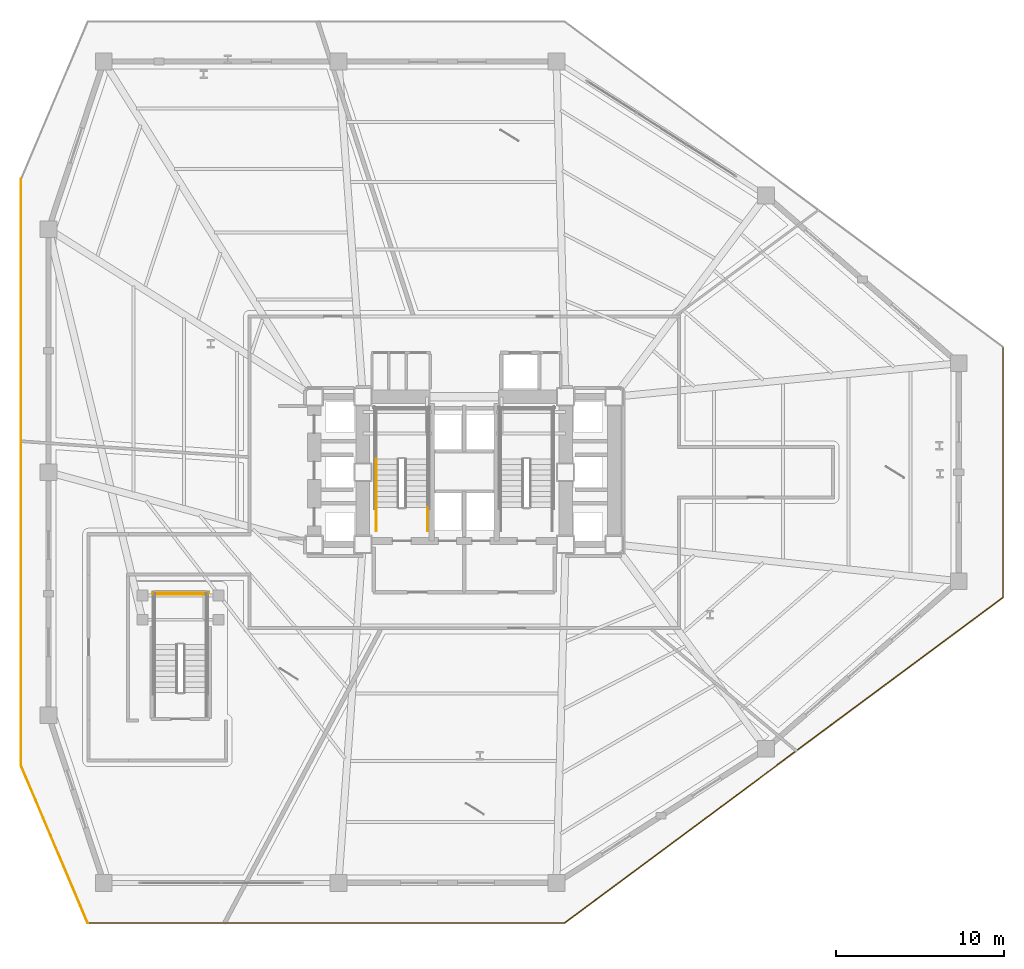
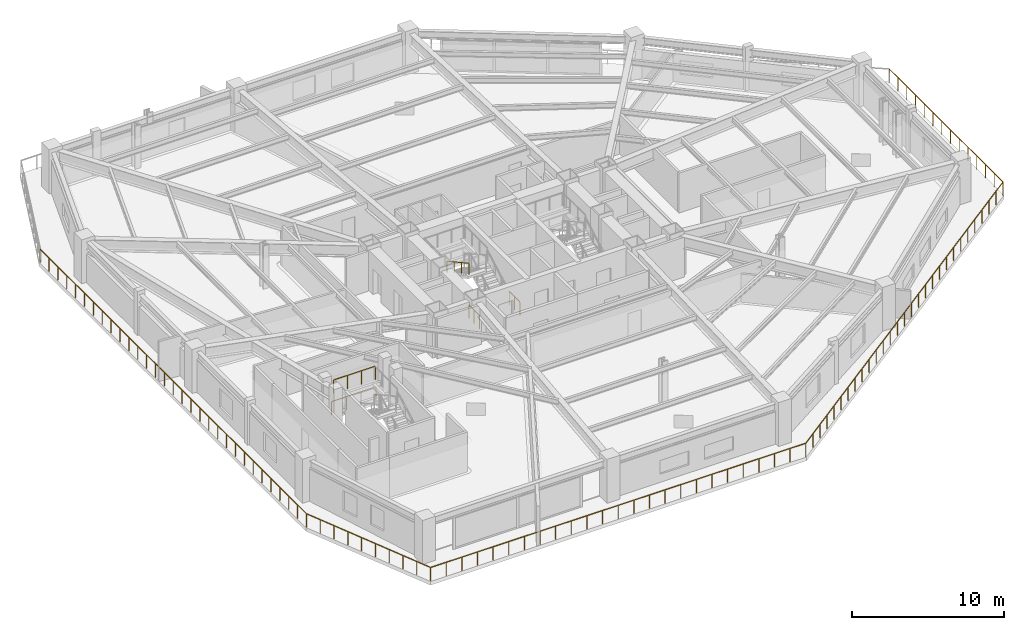
# One storey, part 10 of 12: 7 railings.
"""IFC4 building model written with IfcOpenShell, lengths in metres."""

from ifc_helpers import new_model, si_unit, direction, frame, origin, origin_2d, place, context, subcontext, project, spatial, rectangle, extrude, material, layer, layer_set, type_object, element, save


model = new_model("IFC4")

# Units and contexts
model_context = context("Model", 3, precision=1e-05, world=origin(), true_north=direction((0.0, 1.0)))
body_context = subcontext(model_context, "Body", "Model", "MODEL_VIEW")
ifc_project = project(units=[si_unit("LENGTHUNIT", "METRE"), si_unit("AREAUNIT", "SQUARE_METRE"), si_unit("VOLUMEUNIT", "CUBIC_METRE"), si_unit("PLANEANGLEUNIT", "RADIAN"), si_unit("MASSUNIT", "GRAM", prefix="KILO")], contexts=[model_context])

# Site, building, storey
site_placement = place(None, origin())
site = spatial("IfcSite", under=ifc_project, at=site_placement, CompositionType="ELEMENT")
building_placement = place(site_placement, origin())
building = spatial("IfcBuilding", under=site, at=building_placement, Name="Rocaltana Carrier Exchange", CompositionType="ELEMENT")
storey_placement = place(building_placement, frame((0.0, 0.0, 8.320068359375)))
storey = spatial("IfcBuildingStorey", under=building, at=storey_placement, Name="L03", CompositionType="ELEMENT", Elevation=8.320068359375)

# Railings
ifc_material_1 = material(Name="Brushed Architectural Stainless Tube", Category="steel")
ifc_layer_1 = layer(ifc_material_1, 0.048095703125)
ifc_layer_set_1 = layer_set([ifc_layer_1], Name="Brushed Architectural Stainless Tube")
railing_type_1 = type_object("IfcRailingType", Name="Stair Wall Handrail 920", PredefinedType="HANDRAIL", material=ifc_layer_set_1)
railing_1_placement = place(storey_placement, frame((-5.25, 0.780029296875, 1.93603515625)))
element("IfcRailing", 1, at=railing_1_placement, inside=storey, type_object=railing_type_1, Name="L03 ST-1 stair handrail 2", PredefinedType="HANDRAIL", context=body_context, shape_type="SweptSolid", body=[
    extrude(rectangle(XDim=0.048095703125, YDim=0.048095703125, at=origin_2d()), frame((0.0, 0.0, 0.8759765625), z_axis=(0.0, -0.876226885812, 0.481898790807), x_axis=(1.0, 0.0, 0.0)), (0.0, 0.0, 1.0), 3.286865234375),
    extrude(rectangle(XDim=0.0419921875, YDim=0.0419921875, at=origin_2d()), origin(), (0.0, 0.0, 1.0), 0.851806640625),
    extrude(rectangle(XDim=0.0419921875, YDim=0.0419921875, at=origin_2d()), frame((0.0, -0.9599609375, 0.528076171875)), (0.0, 0.0, 1.0), 0.851806640625),
    extrude(rectangle(XDim=0.0419921875, YDim=0.0419921875, at=origin_2d()), frame((0.0, -1.920166015625, 1.055908203125)), (0.0, 0.0, 1.0), 0.851806640625),
    extrude(rectangle(XDim=0.0419921875, YDim=0.0419921875, at=origin_2d()), frame((0.0, -2.880126953125, 1.583984375)), (0.0, 0.0, 1.0), 0.851806640625),
])
ifc_material_2 = material(Name="Powder-Coated Aluminium 6063-T6", Category="aluminium")
ifc_layer_2 = layer(ifc_material_2, 0.048095703125)
ifc_layer_set_2 = layer_set([ifc_layer_2], Name="Powder-Coated Aluminium 6063-T6")
railing_type_2 = type_object("IfcRailingType", Name="Stair Well Guardrail 1100", PredefinedType="GUARDRAIL", material=ifc_layer_set_2)
for number, where, name in (
    (2, (-2.18994140625, -3.5, 0.0), "L03 ST-1 stair guard 8"),
    (3, (-5.25, -3.5, 0.0), "L03 ST-1 stair guard 9"),
):
    element("IfcRailing", number, at=place(storey_placement, frame(where)), inside=storey, type_object=railing_type_2, Name=name, PredefinedType="GUARDRAIL", context=body_context, shape_type="SweptSolid", body=[
        extrude(rectangle(XDim=0.048095703125, YDim=0.048095703125, at=origin_2d()), frame((0.0, 0.0, 1.076171875), z_axis=(0.0, 1.0, 0.0), x_axis=(-1.0, 0.0, 0.0)), (0.0, 0.0, 1.0), 1.39990234375),
        extrude(rectangle(XDim=0.0419921875, YDim=0.0419921875, at=origin_2d()), origin(), (0.0, 0.0, 1.0), 1.052001953125),
        extrude(rectangle(XDim=0.0419921875, YDim=0.0419921875, at=origin_2d()), frame((0.0, 0.699951171875, 0.0)), (0.0, 0.0, 1.0), 1.052001953125),
        extrude(rectangle(XDim=0.0419921875, YDim=0.0419921875, at=origin_2d()), frame((0.0, 1.39990234375, 0.0)), (0.0, 0.0, 1.0), 1.052001953125),
    ])
railing_2_placement = place(storey_placement, frame((-15.340087890625, -7.300048828125, 1.760009765625)))
element("IfcRailing", 4, at=railing_2_placement, inside=storey, type_object=railing_type_2, Name="L03 ST-3 stair guard 5", PredefinedType="GUARDRAIL", context=body_context, shape_type="SweptSolid", body=[
    extrude(rectangle(XDim=0.048095703125, YDim=0.048095703125, at=origin_2d()), frame((0.0, 0.0, 1.076171875), z_axis=(-1.0, 0.0, 0.0), x_axis=(0.0, -1.0, 0.0)), (0.0, 0.0, 1.0), 3.159912109375),
    extrude(rectangle(XDim=0.0419921875, YDim=0.0419921875, at=origin_2d()), origin(), (0.0, 0.0, 1.0), 1.052001953125),
    extrude(rectangle(XDim=0.0419921875, YDim=0.0419921875, at=origin_2d()), frame((-1.05322265625, 0.0, 0.0)), (0.0, 0.0, 1.0), 1.052001953125),
    extrude(rectangle(XDim=0.0419921875, YDim=0.0419921875, at=origin_2d()), frame((-2.106689453125, 0.0, 0.0)), (0.0, 0.0, 1.0), 1.052001953125),
    extrude(rectangle(XDim=0.0419921875, YDim=0.0419921875, at=origin_2d()), frame((-3.159912109375, 0.0, 0.0)), (0.0, 0.0, 1.0), 1.052001953125),
])
railing_3_placement = place(storey_placement, frame((-15.239990234375, -7.199951171875, 0.0)))
element("IfcRailing", 5, at=railing_3_placement, inside=storey, type_object=railing_type_2, Name="L03 ST-3 stair guard 12", PredefinedType="GUARDRAIL", context=body_context, shape_type="SweptSolid", body=[
    extrude(rectangle(XDim=0.048095703125, YDim=0.048095703125, at=origin_2d()), frame((0.0, 0.0, 1.076171875), z_axis=(-1.0, 0.0, 0.0), x_axis=(0.0, -1.0, 0.0)), (0.0, 0.0, 1.0), 3.360107421875),
    extrude(rectangle(XDim=0.0419921875, YDim=0.0419921875, at=origin_2d()), origin(), (0.0, 0.0, 1.0), 1.052001953125),
    extrude(rectangle(XDim=0.0419921875, YDim=0.0419921875, at=origin_2d()), frame((-1.1201171875, 0.0, 0.0)), (0.0, 0.0, 1.0), 1.052001953125),
    extrude(rectangle(XDim=0.0419921875, YDim=0.0419921875, at=origin_2d()), frame((-2.239990234375, 0.0, 0.0)), (0.0, 0.0, 1.0), 1.052001953125),
    extrude(rectangle(XDim=0.0419921875, YDim=0.0419921875, at=origin_2d()), frame((-3.360107421875, 0.0, 0.0)), (0.0, 0.0, 1.0), 1.052001953125),
])
ifc_material_3 = material(Name="Powder-Coated Aluminium 6063-T6", Category="aluminium")
ifc_layer_3 = layer(ifc_material_3, 0.06005859375)
ifc_layer_set_3 = layer_set([ifc_layer_3], Name="Powder-Coated Aluminium 6063-T6")
railing_type_3 = type_object("IfcRailingType", Name="Wind-Floor & Terrace Perimeter Guardrail 1100", PredefinedType="GUARDRAIL", material=ifc_layer_set_3)
railing_4_placement = place(storey_placement, frame((-22.460205078125, -26.889892578125, 0.0)))
element("IfcRailing", 6, at=railing_4_placement, inside=storey, type_object=railing_type_3, Name="L03 Perimeter Balcony Guardrail 1", PredefinedType="GUARDRAIL", context=body_context, shape_type="SweptSolid", body=[
    extrude(rectangle(XDim=0.048095703125, YDim=0.048095703125, at=origin_2d()), frame((0.0, 0.0, 1.076171875), z_axis=(-0.389799902601, 0.920899579722, 0.0), x_axis=(-0.920899579722, -0.389799902601, 0.0)), (0.0, 0.0, 1.0), 10.209716796875),
    extrude(rectangle(XDim=0.048095703125, YDim=0.048095703125, at=origin_2d()), frame((-3.979736328125, 9.402099609375, 1.076171875), z_axis=(0.0, 1.0, 0.0), x_axis=(-1.0, 0.0, 0.0)), (0.0, 0.0, 1.0), 34.9755859375),
    extrude(rectangle(XDim=0.0419921875, YDim=0.0419921875, at=origin_2d()), origin(), (0.0, 0.0, 1.0), 1.052001953125),
    extrude(rectangle(XDim=0.0419921875, YDim=0.0419921875, at=origin_2d()), frame((-0.442138671875, 1.044677734375, 0.0)), (0.0, 0.0, 1.0), 1.052001953125),
    extrude(rectangle(XDim=0.0419921875, YDim=0.0419921875, at=origin_2d()), frame((-0.88427734375, 2.08935546875, 0.0)), (0.0, 0.0, 1.0), 1.052001953125),
    extrude(rectangle(XDim=0.0419921875, YDim=0.0419921875, at=origin_2d()), frame((-1.32666015625, 3.134033203125, 0.0)), (0.0, 0.0, 1.0), 1.052001953125),
    extrude(rectangle(XDim=0.0419921875, YDim=0.0419921875, at=origin_2d()), frame((-1.768798828125, 4.1787109375, 0.0)), (0.0, 0.0, 1.0), 1.052001953125),
    extrude(rectangle(XDim=0.0419921875, YDim=0.0419921875, at=origin_2d()), frame((-2.2109375, 5.223388671875, 0.0)), (0.0, 0.0, 1.0), 1.052001953125),
    extrude(rectangle(XDim=0.0419921875, YDim=0.0419921875, at=origin_2d()), frame((-2.653076171875, 6.26806640625, 0.0)), (0.0, 0.0, 1.0), 1.052001953125),
    extrude(rectangle(XDim=0.0419921875, YDim=0.0419921875, at=origin_2d()), frame((-3.095458984375, 7.312744140625, 0.0)), (0.0, 0.0, 1.0), 1.052001953125),
    extrude(rectangle(XDim=0.0419921875, YDim=0.0419921875, at=origin_2d()), frame((-3.53759765625, 8.357421875, 0.0)), (0.0, 0.0, 1.0), 1.052001953125),
    extrude(rectangle(XDim=0.0419921875, YDim=0.0419921875, at=origin_2d()), frame((-3.979736328125, 9.402099609375, 0.0)), (0.0, 0.0, 1.0), 1.052001953125),
    extrude(rectangle(XDim=0.0419921875, YDim=0.0419921875, at=origin_2d()), frame((-3.979736328125, 10.56787109375, 0.0)), (0.0, 0.0, 1.0), 1.052001953125),
    extrude(rectangle(XDim=0.0419921875, YDim=0.0419921875, at=origin_2d()), frame((-3.979736328125, 11.73388671875, 0.0)), (0.0, 0.0, 1.0), 1.052001953125),
    extrude(rectangle(XDim=0.0419921875, YDim=0.0419921875, at=origin_2d()), frame((-3.979736328125, 12.899658203125, 0.0)), (0.0, 0.0, 1.0), 1.052001953125),
    extrude(rectangle(XDim=0.0419921875, YDim=0.0419921875, at=origin_2d()), frame((-3.979736328125, 14.0654296875, 0.0)), (0.0, 0.0, 1.0), 1.052001953125),
    extrude(rectangle(XDim=0.0419921875, YDim=0.0419921875, at=origin_2d()), frame((-3.979736328125, 15.2314453125, 0.0)), (0.0, 0.0, 1.0), 1.052001953125),
    extrude(rectangle(XDim=0.0419921875, YDim=0.0419921875, at=origin_2d()), frame((-3.979736328125, 16.397216796875, 0.0)), (0.0, 0.0, 1.0), 1.052001953125),
    extrude(rectangle(XDim=0.0419921875, YDim=0.0419921875, at=origin_2d()), frame((-3.979736328125, 17.56298828125, 0.0)), (0.0, 0.0, 1.0), 1.052001953125),
    extrude(rectangle(XDim=0.0419921875, YDim=0.0419921875, at=origin_2d()), frame((-3.979736328125, 18.72900390625, 0.0)), (0.0, 0.0, 1.0), 1.052001953125),
    extrude(rectangle(XDim=0.0419921875, YDim=0.0419921875, at=origin_2d()), frame((-3.979736328125, 19.894775390625, 0.0)), (0.0, 0.0, 1.0), 1.052001953125),
    extrude(rectangle(XDim=0.0419921875, YDim=0.0419921875, at=origin_2d()), frame((-3.979736328125, 21.060546875, 0.0)), (0.0, 0.0, 1.0), 1.052001953125),
    extrude(rectangle(XDim=0.0419921875, YDim=0.0419921875, at=origin_2d()), frame((-3.979736328125, 22.2265625, 0.0)), (0.0, 0.0, 1.0), 1.052001953125),
    extrude(rectangle(XDim=0.0419921875, YDim=0.0419921875, at=origin_2d()), frame((-3.979736328125, 23.392333984375, 0.0)), (0.0, 0.0, 1.0), 1.052001953125),
    extrude(rectangle(XDim=0.0419921875, YDim=0.0419921875, at=origin_2d()), frame((-3.979736328125, 24.55810546875, 0.0)), (0.0, 0.0, 1.0), 1.052001953125),
    extrude(rectangle(XDim=0.0419921875, YDim=0.0419921875, at=origin_2d()), frame((-3.979736328125, 25.72412109375, 0.0)), (0.0, 0.0, 1.0), 1.052001953125),
    extrude(rectangle(XDim=0.0419921875, YDim=0.0419921875, at=origin_2d()), frame((-3.979736328125, 26.889892578125, 0.0)), (0.0, 0.0, 1.0), 1.052001953125),
    extrude(rectangle(XDim=0.0419921875, YDim=0.0419921875, at=origin_2d()), frame((-3.979736328125, 28.0556640625, 0.0)), (0.0, 0.0, 1.0), 1.052001953125),
    extrude(rectangle(XDim=0.0419921875, YDim=0.0419921875, at=origin_2d()), frame((-3.979736328125, 29.2216796875, 0.0)), (0.0, 0.0, 1.0), 1.052001953125),
    extrude(rectangle(XDim=0.0419921875, YDim=0.0419921875, at=origin_2d()), frame((-3.979736328125, 30.387451171875, 0.0)), (0.0, 0.0, 1.0), 1.052001953125),
    extrude(rectangle(XDim=0.0419921875, YDim=0.0419921875, at=origin_2d()), frame((-3.979736328125, 31.55322265625, 0.0)), (0.0, 0.0, 1.0), 1.052001953125),
    extrude(rectangle(XDim=0.0419921875, YDim=0.0419921875, at=origin_2d()), frame((-3.979736328125, 32.71923828125, 0.0)), (0.0, 0.0, 1.0), 1.052001953125),
    extrude(rectangle(XDim=0.0419921875, YDim=0.0419921875, at=origin_2d()), frame((-3.979736328125, 33.885009765625, 0.0)), (0.0, 0.0, 1.0), 1.052001953125),
    extrude(rectangle(XDim=0.0419921875, YDim=0.0419921875, at=origin_2d()), frame((-3.979736328125, 35.05078125, 0.0)), (0.0, 0.0, 1.0), 1.052001953125),
    extrude(rectangle(XDim=0.0419921875, YDim=0.0419921875, at=origin_2d()), frame((-3.979736328125, 36.216796875, 0.0)), (0.0, 0.0, 1.0), 1.052001953125),
    extrude(rectangle(XDim=0.0419921875, YDim=0.0419921875, at=origin_2d()), frame((-3.979736328125, 37.382568359375, 0.0)), (0.0, 0.0, 1.0), 1.052001953125),
    extrude(rectangle(XDim=0.0419921875, YDim=0.0419921875, at=origin_2d()), frame((-3.979736328125, 38.54833984375, 0.0)), (0.0, 0.0, 1.0), 1.052001953125),
    extrude(rectangle(XDim=0.0419921875, YDim=0.0419921875, at=origin_2d()), frame((-3.979736328125, 39.71435546875, 0.0)), (0.0, 0.0, 1.0), 1.052001953125),
    extrude(rectangle(XDim=0.0419921875, YDim=0.0419921875, at=origin_2d()), frame((-3.979736328125, 40.880126953125, 0.0)), (0.0, 0.0, 1.0), 1.052001953125),
    extrude(rectangle(XDim=0.0419921875, YDim=0.0419921875, at=origin_2d()), frame((-3.979736328125, 42.0458984375, 0.0)), (0.0, 0.0, 1.0), 1.052001953125),
    extrude(rectangle(XDim=0.0419921875, YDim=0.0419921875, at=origin_2d()), frame((-3.979736328125, 43.2119140625, 0.0)), (0.0, 0.0, 1.0), 1.052001953125),
    extrude(rectangle(XDim=0.0419921875, YDim=0.0419921875, at=origin_2d()), frame((-3.979736328125, 44.377685546875, 0.0)), (0.0, 0.0, 1.0), 1.052001953125),
])
railing_5_placement = place(storey_placement, frame((32.139892578125, 7.4697265625, 0.0)))
element("IfcRailing", 7, at=railing_5_placement, inside=storey, type_object=railing_type_3, Name="L03 Perimeter Balcony Guardrail 3", PredefinedType="GUARDRAIL", context=body_context, shape_type="SweptSolid", body=[
    extrude(rectangle(XDim=0.048095703125, YDim=0.048095703125, at=origin_2d()), frame((0.0, 0.0, 1.076171875), z_axis=(0.0, -1.0, 0.0), x_axis=(1.0, 0.0, 0.0)), (0.0, 0.0, 1.0), 14.939453125),
    extrude(rectangle(XDim=0.048095703125, YDim=0.048095703125, at=origin_2d()), frame((0.0, -14.939453125, 1.076171875), z_axis=(-0.802930850868, -0.596072184156, 0.0), x_axis=(0.596072184156, -0.802930850868, 0.0)), (0.0, 0.0, 1.0), 32.580322265625),
    extrude(rectangle(XDim=0.048095703125, YDim=0.048095703125, at=origin_2d()), frame((-26.15966796875, -34.359619140625, 1.076171875), z_axis=(-1.0, 0.0, 0.0), x_axis=(0.0, -1.0, 0.0)), (0.0, 0.0, 1.0), 28.4404296875),
    extrude(rectangle(XDim=0.0419921875, YDim=0.0419921875, at=origin_2d()), origin(), (0.0, 0.0, 1.0), 1.052001953125),
    extrude(rectangle(XDim=0.0419921875, YDim=0.0419921875, at=origin_2d()), frame((0.0, -1.149169921875, 0.0)), (0.0, 0.0, 1.0), 1.052001953125),
    extrude(rectangle(XDim=0.0419921875, YDim=0.0419921875, at=origin_2d()), frame((0.0, -2.29833984375, 0.0)), (0.0, 0.0, 1.0), 1.052001953125),
    extrude(rectangle(XDim=0.0419921875, YDim=0.0419921875, at=origin_2d()), frame((0.0, -3.447509765625, 0.0)), (0.0, 0.0, 1.0), 1.052001953125),
    extrude(rectangle(XDim=0.0419921875, YDim=0.0419921875, at=origin_2d()), frame((0.0, -4.5966796875, 0.0)), (0.0, 0.0, 1.0), 1.052001953125),
    extrude(rectangle(XDim=0.0419921875, YDim=0.0419921875, at=origin_2d()), frame((0.0, -5.745849609375, 0.0)), (0.0, 0.0, 1.0), 1.052001953125),
    extrude(rectangle(XDim=0.0419921875, YDim=0.0419921875, at=origin_2d()), frame((0.0, -6.89501953125, 0.0)), (0.0, 0.0, 1.0), 1.052001953125),
    extrude(rectangle(XDim=0.0419921875, YDim=0.0419921875, at=origin_2d()), frame((0.0, -8.04443359375, 0.0)), (0.0, 0.0, 1.0), 1.052001953125),
    extrude(rectangle(XDim=0.0419921875, YDim=0.0419921875, at=origin_2d()), frame((0.0, -9.193603515625, 0.0)), (0.0, 0.0, 1.0), 1.052001953125),
    extrude(rectangle(XDim=0.0419921875, YDim=0.0419921875, at=origin_2d()), frame((0.0, -10.3427734375, 0.0)), (0.0, 0.0, 1.0), 1.052001953125),
    extrude(rectangle(XDim=0.0419921875, YDim=0.0419921875, at=origin_2d()), frame((0.0, -11.491943359375, 0.0)), (0.0, 0.0, 1.0), 1.052001953125),
    extrude(rectangle(XDim=0.0419921875, YDim=0.0419921875, at=origin_2d()), frame((0.0, -12.64111328125, 0.0)), (0.0, 0.0, 1.0), 1.052001953125),
    extrude(rectangle(XDim=0.0419921875, YDim=0.0419921875, at=origin_2d()), frame((0.0, -13.790283203125, 0.0)), (0.0, 0.0, 1.0), 1.052001953125),
    extrude(rectangle(XDim=0.0419921875, YDim=0.0419921875, at=origin_2d()), frame((0.0, -14.939453125, 0.0)), (0.0, 0.0, 1.0), 1.052001953125),
    extrude(rectangle(XDim=0.0419921875, YDim=0.0419921875, at=origin_2d()), frame((-0.934326171875, -15.633056640625, 0.0)), (0.0, 0.0, 1.0), 1.052001953125),
    extrude(rectangle(XDim=0.0419921875, YDim=0.0419921875, at=origin_2d()), frame((-1.86865234375, -16.32666015625, 0.0)), (0.0, 0.0, 1.0), 1.052001953125),
    extrude(rectangle(XDim=0.0419921875, YDim=0.0419921875, at=origin_2d()), frame((-2.802734375, -17.020263671875, 0.0)), (0.0, 0.0, 1.0), 1.052001953125),
    extrude(rectangle(XDim=0.0419921875, YDim=0.0419921875, at=origin_2d()), frame((-3.737060546875, -17.7138671875, 0.0)), (0.0, 0.0, 1.0), 1.052001953125),
    extrude(rectangle(XDim=0.0419921875, YDim=0.0419921875, at=origin_2d()), frame((-4.67138671875, -18.4072265625, 0.0)), (0.0, 0.0, 1.0), 1.052001953125),
    extrude(rectangle(XDim=0.0419921875, YDim=0.0419921875, at=origin_2d()), frame((-5.605712890625, -19.100830078125, 0.0)), (0.0, 0.0, 1.0), 1.052001953125),
    extrude(rectangle(XDim=0.0419921875, YDim=0.0419921875, at=origin_2d()), frame((-6.5400390625, -19.79443359375, 0.0)), (0.0, 0.0, 1.0), 1.052001953125),
    extrude(rectangle(XDim=0.0419921875, YDim=0.0419921875, at=origin_2d()), frame((-7.47412109375, -20.488037109375, 0.0)), (0.0, 0.0, 1.0), 1.052001953125),
    extrude(rectangle(XDim=0.0419921875, YDim=0.0419921875, at=origin_2d()), frame((-8.408447265625, -21.181640625, 0.0)), (0.0, 0.0, 1.0), 1.052001953125),
    extrude(rectangle(XDim=0.0419921875, YDim=0.0419921875, at=origin_2d()), frame((-9.3427734375, -21.875244140625, 0.0)), (0.0, 0.0, 1.0), 1.052001953125),
    extrude(rectangle(XDim=0.0419921875, YDim=0.0419921875, at=origin_2d()), frame((-10.277099609375, -22.56884765625, 0.0)), (0.0, 0.0, 1.0), 1.052001953125),
    extrude(rectangle(XDim=0.0419921875, YDim=0.0419921875, at=origin_2d()), frame((-11.211181640625, -23.262451171875, 0.0)), (0.0, 0.0, 1.0), 1.052001953125),
    extrude(rectangle(XDim=0.0419921875, YDim=0.0419921875, at=origin_2d()), frame((-12.1455078125, -23.9560546875, 0.0)), (0.0, 0.0, 1.0), 1.052001953125),
    extrude(rectangle(XDim=0.0419921875, YDim=0.0419921875, at=origin_2d()), frame((-13.079833984375, -24.6494140625, 0.0)), (0.0, 0.0, 1.0), 1.052001953125),
    extrude(rectangle(XDim=0.0419921875, YDim=0.0419921875, at=origin_2d()), frame((-14.01416015625, -25.343017578125, 0.0)), (0.0, 0.0, 1.0), 1.052001953125),
    extrude(rectangle(XDim=0.0419921875, YDim=0.0419921875, at=origin_2d()), frame((-14.948486328125, -26.03662109375, 0.0)), (0.0, 0.0, 1.0), 1.052001953125),
    extrude(rectangle(XDim=0.0419921875, YDim=0.0419921875, at=origin_2d()), frame((-15.882568359375, -26.730224609375, 0.0)), (0.0, 0.0, 1.0), 1.052001953125),
    extrude(rectangle(XDim=0.0419921875, YDim=0.0419921875, at=origin_2d()), frame((-16.81689453125, -27.423828125, 0.0)), (0.0, 0.0, 1.0), 1.052001953125),
    extrude(rectangle(XDim=0.0419921875, YDim=0.0419921875, at=origin_2d()), frame((-17.751220703125, -28.117431640625, 0.0)), (0.0, 0.0, 1.0), 1.052001953125),
    extrude(rectangle(XDim=0.0419921875, YDim=0.0419921875, at=origin_2d()), frame((-18.685546875, -28.81103515625, 0.0)), (0.0, 0.0, 1.0), 1.052001953125),
    extrude(rectangle(XDim=0.0419921875, YDim=0.0419921875, at=origin_2d()), frame((-19.61962890625, -29.504638671875, 0.0)), (0.0, 0.0, 1.0), 1.052001953125),
    extrude(rectangle(XDim=0.0419921875, YDim=0.0419921875, at=origin_2d()), frame((-20.553955078125, -30.1982421875, 0.0)), (0.0, 0.0, 1.0), 1.052001953125),
    extrude(rectangle(XDim=0.0419921875, YDim=0.0419921875, at=origin_2d()), frame((-21.48828125, -30.891845703125, 0.0)), (0.0, 0.0, 1.0), 1.052001953125),
    extrude(rectangle(XDim=0.0419921875, YDim=0.0419921875, at=origin_2d()), frame((-22.422607421875, -31.585205078125, 0.0)), (0.0, 0.0, 1.0), 1.052001953125),
    extrude(rectangle(XDim=0.0419921875, YDim=0.0419921875, at=origin_2d()), frame((-23.35693359375, -32.27880859375, 0.0)), (0.0, 0.0, 1.0), 1.052001953125),
    extrude(rectangle(XDim=0.0419921875, YDim=0.0419921875, at=origin_2d()), frame((-24.291015625, -32.972412109375, 0.0)), (0.0, 0.0, 1.0), 1.052001953125),
    extrude(rectangle(XDim=0.0419921875, YDim=0.0419921875, at=origin_2d()), frame((-25.225341796875, -33.666015625, 0.0)), (0.0, 0.0, 1.0), 1.052001953125),
    extrude(rectangle(XDim=0.0419921875, YDim=0.0419921875, at=origin_2d()), frame((-26.15966796875, -34.359619140625, 0.0)), (0.0, 0.0, 1.0), 1.052001953125),
    extrude(rectangle(XDim=0.0419921875, YDim=0.0419921875, at=origin_2d()), frame((-27.3447265625, -34.359619140625, 0.0)), (0.0, 0.0, 1.0), 1.052001953125),
    extrude(rectangle(XDim=0.0419921875, YDim=0.0419921875, at=origin_2d()), frame((-28.52978515625, -34.359619140625, 0.0)), (0.0, 0.0, 1.0), 1.052001953125),
    extrude(rectangle(XDim=0.0419921875, YDim=0.0419921875, at=origin_2d()), frame((-29.71484375, -34.359619140625, 0.0)), (0.0, 0.0, 1.0), 1.052001953125),
    extrude(rectangle(XDim=0.0419921875, YDim=0.0419921875, at=origin_2d()), frame((-30.899658203125, -34.359619140625, 0.0)), (0.0, 0.0, 1.0), 1.052001953125),
    extrude(rectangle(XDim=0.0419921875, YDim=0.0419921875, at=origin_2d()), frame((-32.084716796875, -34.359619140625, 0.0)), (0.0, 0.0, 1.0), 1.052001953125),
    extrude(rectangle(XDim=0.0419921875, YDim=0.0419921875, at=origin_2d()), frame((-33.269775390625, -34.359619140625, 0.0)), (0.0, 0.0, 1.0), 1.052001953125),
    extrude(rectangle(XDim=0.0419921875, YDim=0.0419921875, at=origin_2d()), frame((-34.454833984375, -34.359619140625, 0.0)), (0.0, 0.0, 1.0), 1.052001953125),
    extrude(rectangle(XDim=0.0419921875, YDim=0.0419921875, at=origin_2d()), frame((-35.639892578125, -34.359619140625, 0.0)), (0.0, 0.0, 1.0), 1.052001953125),
    extrude(rectangle(XDim=0.0419921875, YDim=0.0419921875, at=origin_2d()), frame((-36.82470703125, -34.359619140625, 0.0)), (0.0, 0.0, 1.0), 1.052001953125),
    extrude(rectangle(XDim=0.0419921875, YDim=0.0419921875, at=origin_2d()), frame((-38.009765625, -34.359619140625, 0.0)), (0.0, 0.0, 1.0), 1.052001953125),
    extrude(rectangle(XDim=0.0419921875, YDim=0.0419921875, at=origin_2d()), frame((-39.19482421875, -34.359619140625, 0.0)), (0.0, 0.0, 1.0), 1.052001953125),
    extrude(rectangle(XDim=0.0419921875, YDim=0.0419921875, at=origin_2d()), frame((-40.3798828125, -34.359619140625, 0.0)), (0.0, 0.0, 1.0), 1.052001953125),
    extrude(rectangle(XDim=0.0419921875, YDim=0.0419921875, at=origin_2d()), frame((-41.56494140625, -34.359619140625, 0.0)), (0.0, 0.0, 1.0), 1.052001953125),
    extrude(rectangle(XDim=0.0419921875, YDim=0.0419921875, at=origin_2d()), frame((-42.75, -34.359619140625, 0.0)), (0.0, 0.0, 1.0), 1.052001953125),
    extrude(rectangle(XDim=0.0419921875, YDim=0.0419921875, at=origin_2d()), frame((-43.93505859375, -34.359619140625, 0.0)), (0.0, 0.0, 1.0), 1.052001953125),
    extrude(rectangle(XDim=0.0419921875, YDim=0.0419921875, at=origin_2d()), frame((-45.119873046875, -34.359619140625, 0.0)), (0.0, 0.0, 1.0), 1.052001953125),
    extrude(rectangle(XDim=0.0419921875, YDim=0.0419921875, at=origin_2d()), frame((-46.304931640625, -34.359619140625, 0.0)), (0.0, 0.0, 1.0), 1.052001953125),
    extrude(rectangle(XDim=0.0419921875, YDim=0.0419921875, at=origin_2d()), frame((-47.489990234375, -34.359619140625, 0.0)), (0.0, 0.0, 1.0), 1.052001953125),
    extrude(rectangle(XDim=0.0419921875, YDim=0.0419921875, at=origin_2d()), frame((-48.675048828125, -34.359619140625, 0.0)), (0.0, 0.0, 1.0), 1.052001953125),
    extrude(rectangle(XDim=0.0419921875, YDim=0.0419921875, at=origin_2d()), frame((-49.860107421875, -34.359619140625, 0.0)), (0.0, 0.0, 1.0), 1.052001953125),
    extrude(rectangle(XDim=0.0419921875, YDim=0.0419921875, at=origin_2d()), frame((-51.044921875, -34.359619140625, 0.0)), (0.0, 0.0, 1.0), 1.052001953125),
    extrude(rectangle(XDim=0.0419921875, YDim=0.0419921875, at=origin_2d()), frame((-52.22998046875, -34.359619140625, 0.0)), (0.0, 0.0, 1.0), 1.052001953125),
    extrude(rectangle(XDim=0.0419921875, YDim=0.0419921875, at=origin_2d()), frame((-53.4150390625, -34.359619140625, 0.0)), (0.0, 0.0, 1.0), 1.052001953125),
    extrude(rectangle(XDim=0.0419921875, YDim=0.0419921875, at=origin_2d()), frame((-54.60009765625, -34.359619140625, 0.0)), (0.0, 0.0, 1.0), 1.052001953125),
])

save(model, "model.ifc")
